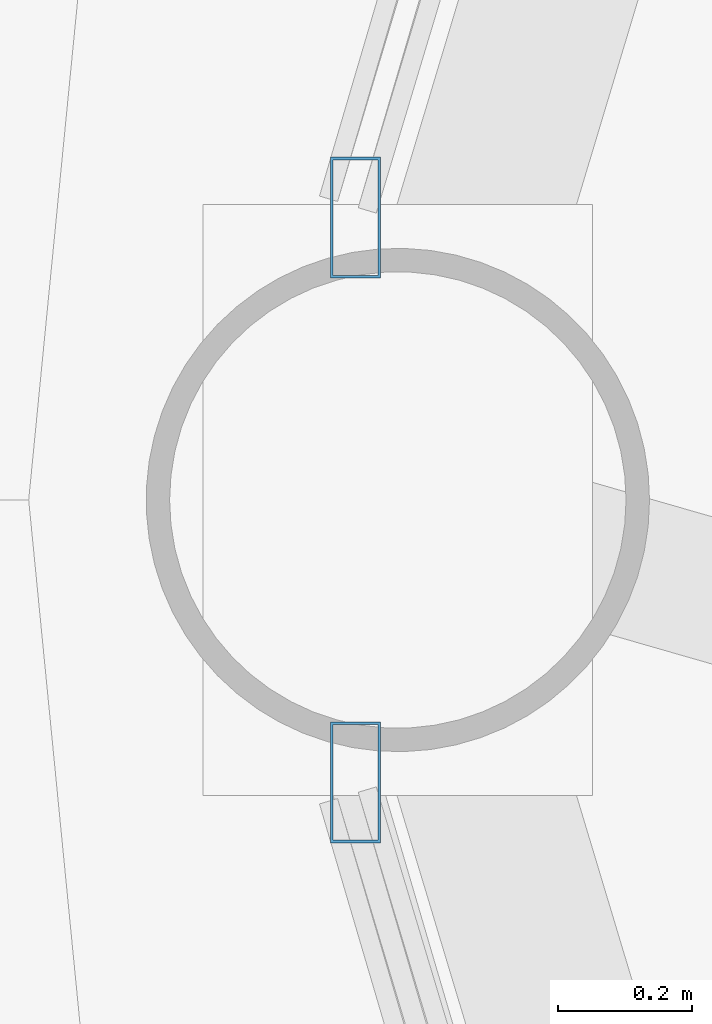
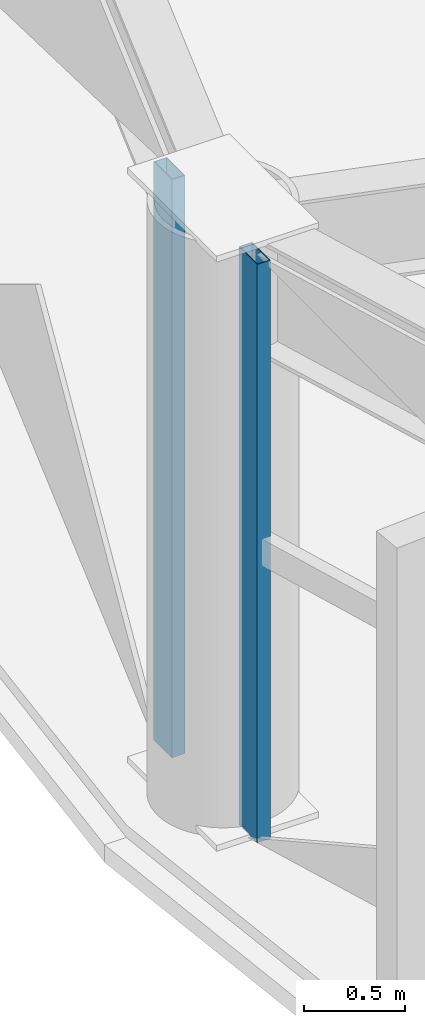
# One storey, part 7 of 32: 2 members, 2 elements without a shape of their own.
"""IFC4 building model written with IfcOpenShell, lengths in metres."""

from ifc_helpers import new_model, si_unit, direction, frame, origin, origin_2d, place, context, subcontext, project, spatial, hollow_rectangle, extrude, material, layer, layer_set, material_profile, profile_set, type_object, element, aggregate, save


model = new_model("IFC4")

# Units and contexts
model_context = context("Model", 3, precision=1e-05, world=origin(), true_north=direction((0.0, 1.0)))
body_context = subcontext(model_context, "Body", "Model", "MODEL_VIEW")
ifc_project = project(units=[si_unit("LENGTHUNIT", "METRE"), si_unit("AREAUNIT", "SQUARE_METRE"), si_unit("VOLUMEUNIT", "CUBIC_METRE"), si_unit("PLANEANGLEUNIT", "RADIAN"), si_unit("MASSUNIT", "GRAM", prefix="KILO")], contexts=[model_context])

# Site, building, storey
site_placement = place(None, origin())
site = spatial("IfcSite", under=ifc_project, at=site_placement, CompositionType="ELEMENT")
building_placement = place(site_placement, origin())
building = spatial("IfcBuilding", under=site, at=building_placement, Name="Vantalir Tower", CompositionType="ELEMENT")
storey_placement = place(building_placement, frame((0.0, 0.0, 100.949951171875)))
storey = spatial("IfcBuildingStorey", under=building, at=storey_placement, Name="L24", CompositionType="ELEMENT", Elevation=100.949951171875)

# Curtain wall, member
ifc_material_1 = material(Name="Champagne-silver PVDF aluminium and double-silver Low-E glass", Category="aluminium")
ifc_layer = layer(ifc_material_1, 0.199951171875)
ifc_layer_set = layer_set([ifc_layer], Name="Champagne-silver PVDF aluminium and double-silver Low-E glass")
curtain_wall_type = type_object("IfcCurtainWallType", Name="CW-DIAMOND-Z2", PredefinedType="USERDEFINED", material=ifc_layer_set)
curtain_wall_1_placement = place(storey_placement, origin())
curtain_wall_1 = element("IfcCurtainWall", 1, at=curtain_wall_1_placement, inside=storey, type_object=curtain_wall_type, Name="L24 Quilted Pyramid-Diamond Curtain Wall S06", ObjectType="UNITISED CURTAIN WALL", PredefinedType="USERDEFINED")
ifc_material_2 = material(Name="Champagne-silver PVDF aluminium 6063-T6", Category="aluminium")
ifc_material_profile = material_profile(ifc_material_2, hollow_rectangle(XDim=0.074951171875, YDim=0.179931640625, WallThickness=0.00390625, at=origin_2d()), Name="Champagne-silver PVDF aluminium 6063-T6")
ifc_profile_set = profile_set([ifc_material_profile], Name="Champagne-silver PVDF aluminium 6063-T6")
member_type = type_object("IfcMemberType", Name="CWM-180x75", PredefinedType="MULLION", material=ifc_profile_set)
member_1_placement = place(storey_placement, frame((5.84912109375, 25.4208984375, 0.045166015625), z_axis=(0.0, 0.0, 1.0), x_axis=(1.0, 0.0, 0.0)))
member_1 = element("IfcMember", 2, at=member_1_placement, type_object=member_type, Name="CW-L24-S06 Mullion 2", PredefinedType="MULLION", context=body_context, shape_type="SweptSolid", body=[
    extrude(hollow_rectangle(XDim=0.074951171875, YDim=0.179931640625, WallThickness=0.00390625, at=origin_2d()), origin(), (0.0, 0.0, 1.0), 3.47998046875),
])
aggregate(curtain_wall_1, [member_1])

curtain_wall_2_placement = place(storey_placement, origin())
curtain_wall_2 = element("IfcCurtainWall", 3, at=curtain_wall_2_placement, inside=storey, type_object=curtain_wall_type, Name="L24 Quilted Pyramid-Diamond Curtain Wall S07", ObjectType="UNITISED CURTAIN WALL", PredefinedType="USERDEFINED")
member_2_placement = place(storey_placement, frame((5.84912109375, 24.5791015625, 0.045166015625), z_axis=(0.0, 0.0, 1.0), x_axis=(1.0, 0.0, 0.0)))
member_2 = element("IfcMember", 4, at=member_2_placement, type_object=member_type, Name="CW-L24-S07 Mullion 1", PredefinedType="MULLION", context=body_context, shape_type="SweptSolid", body=[
    extrude(hollow_rectangle(XDim=0.074951171875, YDim=0.179931640625, WallThickness=0.00390625, at=origin_2d()), origin(), (0.0, 0.0, 1.0), 3.47998046875),
])
aggregate(curtain_wall_2, [member_2])

save(model, "model.ifc")
